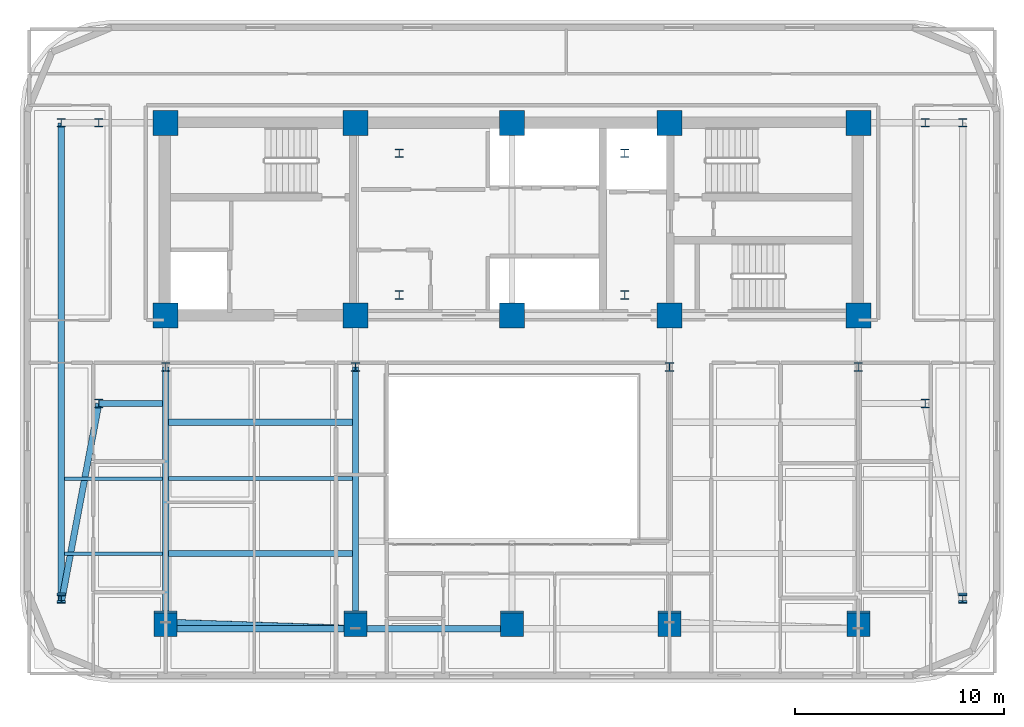
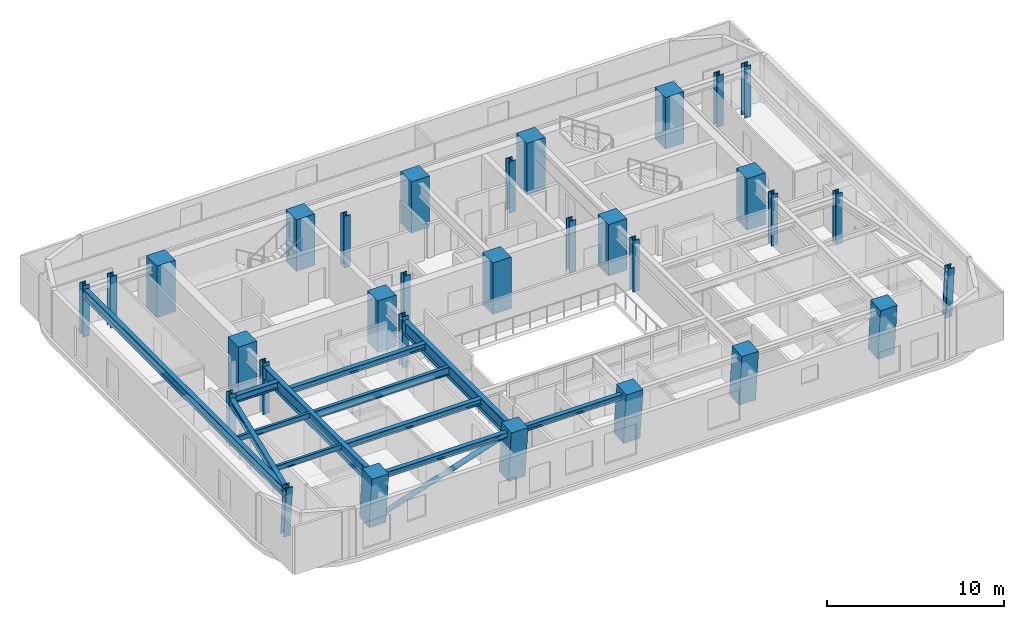
# One storey, part 1 of 12: 31 columns, 12 beams, 1 member.
"""IFC4 building model written with IfcOpenShell, lengths in metres."""

from ifc_helpers import new_model, si_unit, direction, frame, origin, origin_2d, place, context, subcontext, project, spatial, rectangle, hollow_circle, i_section, extrude, material, material_profile, profile_set, type_object, element, save


model = new_model("IFC4")

# Units and contexts
model_context = context("Model", 3, precision=1e-05, world=origin(), true_north=direction((0.0, 1.0)))
body_context = subcontext(model_context, "Body", "Model", "MODEL_VIEW")
ifc_project = project(units=[si_unit("LENGTHUNIT", "METRE"), si_unit("AREAUNIT", "SQUARE_METRE"), si_unit("VOLUMEUNIT", "CUBIC_METRE"), si_unit("PLANEANGLEUNIT", "RADIAN"), si_unit("MASSUNIT", "GRAM", prefix="KILO")], contexts=[model_context])

# Site, building, storey
site_placement = place(None, origin())
site = spatial("IfcSite", under=ifc_project, at=site_placement, CompositionType="ELEMENT")
building_placement = place(site_placement, origin())
building = spatial("IfcBuilding", under=site, at=building_placement, Name="Zarnavel Station Tower", CompositionType="ELEMENT")
storey_placement = place(building_placement, frame((0.0, 0.0, 144.800048828125)))
storey = spatial("IfcBuildingStorey", under=building, at=storey_placement, Name="L39", CompositionType="ELEMENT", Elevation=144.800048828125)

# Columns
ifc_material_1 = material(Name="Steel S355J2", Category="steel")
ifc_material_profile_1 = material_profile(ifc_material_1, i_section(OverallWidth=0.4130859375, OverallDepth=0.4150390625, WebThickness=0.030029296875, FlangeThickness=0.047119140625, FilletRadius=0.014892578125, at=origin_2d()), Name="HD400x347")
ifc_profile_set_1 = profile_set([ifc_material_profile_1], Name="Steel S355J2")
column_type_1 = type_object("IfcColumnType", Name="EC_HD347", PredefinedType="COLUMN", material=ifc_profile_set_1)
column_1_placement = place(storey_placement, frame((7.199951171875, 14.318603515625, 0.0), z_axis=(0.0, -0.079862380324, 0.996805898964), x_axis=(1.0, 0.0, 0.0)))
element("IfcColumn", 1, at=column_1_placement, inside=storey, type_object=column_type_1, Name="L39 Raked Wing Column 1", PredefinedType="COLUMN", context=body_context, shape_type="SweptSolid", body=[
    extrude(i_section(OverallWidth=0.4130859375, OverallDepth=0.4150390625, WebThickness=0.030029296875, FlangeThickness=0.047119140625, FilletRadius=0.014892578125, at=origin_2d()), origin(), (0.0, 0.0, 1.0), 3.5615234375),
])
column_2_placement = place(storey_placement, frame((7.199951171875, 37.050048828125, 0.0), z_axis=(0.0, 0.0, 1.0), x_axis=(1.0, 0.0, 0.0)))
element("IfcColumn", 2, at=column_2_placement, inside=storey, type_object=column_type_1, Name="L39 Outer Wing North Column 1", PredefinedType="COLUMN", context=body_context, shape_type="SweptSolid", body=[
    extrude(i_section(OverallWidth=0.4130859375, OverallDepth=0.4150390625, WebThickness=0.030029296875, FlangeThickness=0.047119140625, FilletRadius=0.014892578125, at=origin_2d()), origin(), (0.0, 0.0, 1.0), 3.550048828125),
])
column_3_placement = place(storey_placement, frame((50.39990234375, 14.318603515625, 0.0), z_axis=(0.0, -0.079862380324, 0.996805898964), x_axis=(1.0, 0.0, 0.0)))
element("IfcColumn", 3, at=column_3_placement, inside=storey, type_object=column_type_1, Name="L39 Raked Wing Column 2", PredefinedType="COLUMN", context=body_context, shape_type="SweptSolid", body=[
    extrude(i_section(OverallWidth=0.4130859375, OverallDepth=0.4150390625, WebThickness=0.030029296875, FlangeThickness=0.047119140625, FilletRadius=0.014892578125, at=origin_2d()), origin(), (0.0, 0.0, 1.0), 3.5615234375),
])
column_4_placement = place(storey_placement, frame((50.39990234375, 37.050048828125, 0.0), z_axis=(0.0, 0.0, 1.0), x_axis=(1.0, 0.0, 0.0)))
element("IfcColumn", 4, at=column_4_placement, inside=storey, type_object=column_type_1, Name="L39 Outer Wing North Column 2", PredefinedType="COLUMN", context=body_context, shape_type="SweptSolid", body=[
    extrude(i_section(OverallWidth=0.4130859375, OverallDepth=0.4150390625, WebThickness=0.030029296875, FlangeThickness=0.047119140625, FilletRadius=0.014892578125, at=origin_2d()), origin(), (0.0, 0.0, 1.0), 3.550048828125),
])
ifc_material_2 = material(Name="Steel S355J2", Category="steel")
ifc_material_profile_2 = material_profile(ifc_material_2, i_section(OverallWidth=0.4130859375, OverallDepth=0.4150390625, WebThickness=0.030029296875, FlangeThickness=0.047119140625, FilletRadius=0.014892578125, at=origin_2d()), Name="HD400x347")
ifc_profile_set_2 = profile_set([ifc_material_profile_2], Name="Steel S355J2")
column_type_2 = type_object("IfcColumnType", Name="IC_HD347", PredefinedType="COLUMN", material=ifc_profile_set_2)
for number, where, z_axis, x_axis, name in (
    (5, (23.39990234375, 28.800048828125, 0.0), (0.0, 0.0, 1.0), (1.0, 0.0, 0.0), "L39 Mast Spine Column 1"),
    (6, (34.199951171875, 28.800048828125, 0.0), (0.0, 0.0, 1.0), (1.0, 0.0, 0.0), "L39 Mast Spine Column 2"),
    (7, (34.199951171875, 35.60009765625, 0.0), (0.0, 0.0, 1.0), (1.0, 0.0, 0.0), "L39 Mast Spine Column 3"),
    (8, (23.39990234375, 35.60009765625, 0.0), (0.0, 0.0, 1.0), (1.0, 0.0, 0.0), "L39 Mast Spine Column 4"),
    (9, (12.199951171875, 25.35009765625, 0.0), (0.0, 0.0, 1.0), (1.0, 0.0, 0.0), "L39 Inner Spine Column 1"),
    (10, (21.300048828125, 25.35009765625, 0.0), (0.0, 0.0, 1.0), (1.0, 0.0, 0.0), "L39 Inner Spine Column 2"),
    (11, (36.35009765625, 25.35009765625, 0.0), (0.0, 0.0, 1.0), (1.0, 0.0, 0.0), "L39 Inner Spine Column 4"),
    (12, (45.39990234375, 25.35009765625, 0.0), (0.0, 0.0, 1.0), (1.0, 0.0, 0.0), "L39 Inner Spine Column 5"),
    (13, (9.0, 23.60009765625, 0.0), (0.0, 0.0, 1.0), (1.0, 0.0, 0.0), "L39 Inner Wing Spine Column 1-1"),
    (14, (9.0, 37.050048828125, 0.0), (0.0, 0.0, 1.0), (1.0, 0.0, 0.0), "L39 Inner Wing Spine Column 1-2"),
    (15, (48.60009765625, 23.60009765625, 0.0), (0.0, 0.0, 1.0), (1.0, 0.0, 0.0), "L39 Inner Wing Spine Column 2-1"),
    (16, (48.60009765625, 37.050048828125, 0.0), (0.0, 0.0, 1.0), (1.0, 0.0, 0.0), "L39 Inner Wing Spine Column 2-2"),
):
    element("IfcColumn", number, at=place(storey_placement, frame(where, z_axis=z_axis, x_axis=x_axis)), inside=storey, type_object=column_type_2, Name=name, PredefinedType="COLUMN", context=body_context, shape_type="SweptSolid", body=[
        extrude(i_section(OverallWidth=0.4130859375, OverallDepth=0.4150390625, WebThickness=0.030029296875, FlangeThickness=0.047119140625, FilletRadius=0.014892578125, at=origin_2d()), origin(), (0.0, 0.0, 1.0), 3.550048828125),
    ])
ifc_material_3 = material(Name="Concrete C50/60", Category="concrete")
ifc_material_profile_3 = material_profile(ifc_material_3, rectangle(XDim=1.199951171875, YDim=1.199951171875, at=origin_2d()), Name="RC1200x1200")
ifc_profile_set_3 = profile_set([ifc_material_profile_3], Name="Concrete C50/60")
column_type_3 = type_object("IfcColumnType", Name="IC_RC1200", PredefinedType="COLUMN", material=ifc_profile_set_3)
for number, where, z_axis, x_axis, name in (
    (17, (12.199951171875, 27.820068359375, 0.0), (0.0, 0.0, 1.0), (1.0, 0.0, 0.0), "L39 Core Spine Column 1-1"),
    (18, (12.199951171875, 37.050048828125, 0.0), (0.0, 0.0, 1.0), (1.0, 0.0, 0.0), "L39 Core Spine Column 1-2"),
    (19, (21.300048828125, 27.820068359375, 0.0), (0.0, 0.0, 1.0), (1.0, 0.0, 0.0), "L39 Core Spine Column 2-1"),
    (20, (21.300048828125, 37.050048828125, 0.0), (0.0, 0.0, 1.0), (1.0, 0.0, 0.0), "L39 Core Spine Column 2-2"),
    (21, (28.800048828125, 27.820068359375, 0.0), (0.0, 0.0, 1.0), (1.0, 0.0, 0.0), "L39 Core Spine Column 3-1"),
    (22, (28.800048828125, 37.050048828125, 0.0), (0.0, 0.0, 1.0), (1.0, 0.0, 0.0), "L39 Core Spine Column 3-2"),
    (23, (36.35009765625, 27.820068359375, 0.0), (0.0, 0.0, 1.0), (1.0, 0.0, 0.0), "L39 Core Spine Column 4-1"),
    (24, (36.35009765625, 37.050048828125, 0.0), (0.0, 0.0, 1.0), (1.0, 0.0, 0.0), "L39 Core Spine Column 4-2"),
    (25, (45.39990234375, 27.820068359375, 0.0), (0.0, 0.0, 1.0), (1.0, 0.0, 0.0), "L39 Core Spine Column 5-1"),
    (26, (45.39990234375, 37.050048828125, 0.0), (0.0, 0.0, 1.0), (1.0, 0.0, 0.0), "L39 Core Spine Column 5-2"),
):
    element("IfcColumn", number, at=place(storey_placement, frame(where, z_axis=z_axis, x_axis=x_axis)), inside=storey, type_object=column_type_3, Name=name, PredefinedType="COLUMN", context=body_context, shape_type="SweptSolid", body=[
        extrude(rectangle(XDim=1.199951171875, YDim=1.199951171875, at=origin_2d()), origin(), (0.0, 0.0, 1.0), 3.550048828125),
    ])
ifc_material_4 = material(Name="Concrete C50/60", Category="concrete")
ifc_material_profile_4 = material_profile(ifc_material_4, rectangle(XDim=1.10009765625, YDim=1.10009765625, at=origin_2d()), Name="RC1100x1100")
ifc_profile_set_4 = profile_set([ifc_material_profile_4], Name="Concrete C50/60")
column_type_4 = type_object("IfcColumnType", Name="MC_RC1100", PredefinedType="COLUMN", material=ifc_profile_set_4)
for number, where, z_axis, x_axis, name in (
    (27, (12.199951171875, 13.106201171875, 0.0), (0.0, -0.0902702026, 0.995917311087), (1.0, 0.0, 0.0), "L39 Raked South Mega-Column 1"),
    (28, (21.300048828125, 13.106201171875, 0.0), (0.0, -0.0902702026, 0.995917311087), (1.0, 0.0, 0.0), "L39 Raked South Mega-Column 2"),
    (29, (28.800048828125, 13.106201171875, 0.0), (0.0, -0.0902702026, 0.995917311087), (1.0, 0.0, 0.0), "L39 Raked South Mega-Column 3"),
    (30, (36.35009765625, 13.106201171875, 0.0), (0.0, -0.0902702026, 0.995917311087), (1.0, 0.0, 0.0), "L39 Raked South Mega-Column 4"),
    (31, (45.39990234375, 13.106201171875, 0.0), (0.0, -0.0902702026, 0.995917311087), (1.0, 0.0, 0.0), "L39 Raked South Mega-Column 5"),
):
    element("IfcColumn", number, at=place(storey_placement, frame(where, z_axis=z_axis, x_axis=x_axis)), inside=storey, type_object=column_type_4, Name=name, PredefinedType="COLUMN", context=body_context, shape_type="SweptSolid", body=[
        extrude(rectangle(XDim=1.10009765625, YDim=1.10009765625, at=origin_2d()), origin(), (0.0, 0.0, 1.0), 3.564697265625),
    ])

# Member
ifc_material_5 = material(Name="Steel S355J2", Category="steel")
ifc_material_profile_5 = material_profile(ifc_material_5, hollow_circle(Radius=0.161865234375, WallThickness=0.012451171875, at=origin_2d()), Name="CHS323.9x12.5")
ifc_profile_set_5 = profile_set([ifc_material_profile_5], Name="Steel S355J2")
member_type = type_object("IfcMemberType", Name="DB_EXT_CHS324", PredefinedType="BRACE", material=ifc_profile_set_5)
member_placement = place(storey_placement, frame((12.199951171875, 13.106201171875, 0.0), z_axis=(0.93997940641, -0.030791298364, 0.339839096442), x_axis=(0.032739857023, 0.999463907183, 0.0)))
element("IfcMember", 32, at=member_placement, inside=storey, type_object=member_type, Name="L39 Persian Exterior Diagonal Frame Brace 1", PredefinedType="BRACE", context=body_context, shape_type="SweptSolid", body=[
    extrude(hollow_circle(Radius=0.161865234375, WallThickness=0.012451171875, at=origin_2d()), origin(), (0.0, 0.0, 1.0), 9.68115234375),
])

# Beams
ifc_material_6 = material(Name="Steel S355J2", Category="steel")
ifc_material_profile_6 = material_profile(ifc_material_6, i_section(OverallWidth=0.300048828125, OverallDepth=0.360107421875, WebThickness=0.012451171875, FlangeThickness=0.0224609375, FilletRadius=0.027099609375, at=origin_2d()), Name="HEB360")
ifc_profile_set_6 = profile_set([ifc_material_profile_6], Name="Steel S355J2")
beam_type_1 = type_object("IfcBeamType", Name="EB_HEB360", PredefinedType="SPANDREL", material=ifc_profile_set_6)
beam_1_placement = place(storey_placement, frame((12.199951171875, 12.80810546875, 3.10986328125), z_axis=(1.0, 0.0, 0.0), x_axis=(0.0, 1.0, 0.0)))
element("IfcBeam", 33, at=beam_1_placement, inside=storey, type_object=beam_type_1, Name="L39 South Raked Spandrel 1", PredefinedType="SPANDREL", context=body_context, shape_type="SweptSolid", body=[
    extrude(i_section(OverallWidth=0.300048828125, OverallDepth=0.360107421875, WebThickness=0.012451171875, FlangeThickness=0.0224609375, FilletRadius=0.027099609375, at=origin_2d()), origin(), (0.0, 0.0, 1.0), 9.10009765625),
])
beam_2_placement = place(storey_placement, frame((21.300048828125, 12.80810546875, 3.10986328125), z_axis=(1.0, 0.0, 0.0), x_axis=(0.0, 1.0, 0.0)))
element("IfcBeam", 34, at=beam_2_placement, inside=storey, type_object=beam_type_1, Name="L39 South Raked Spandrel 2", PredefinedType="SPANDREL", context=body_context, shape_type="SweptSolid", body=[
    extrude(i_section(OverallWidth=0.300048828125, OverallDepth=0.360107421875, WebThickness=0.012451171875, FlangeThickness=0.0224609375, FilletRadius=0.027099609375, at=origin_2d()), origin(), (0.0, 0.0, 1.0), 7.5),
])
ifc_material_7 = material(Name="Steel S355J2", Category="steel")
ifc_material_profile_7 = material_profile(ifc_material_7, i_section(OverallWidth=0.300048828125, OverallDepth=0.389892578125, WebThickness=0.010986328125, FlangeThickness=0.01904296875, FilletRadius=0.027099609375, at=origin_2d()), Name="HEA400")
ifc_profile_set_7 = profile_set([ifc_material_profile_7], Name="Steel S355J2")
beam_type_2 = type_object("IfcBeamType", Name="FB_HEA400", PredefinedType="BEAM", material=ifc_profile_set_7)
for number, where, z_axis, x_axis, name in (
    (35, (12.344970703125, 16.406005859375, 3.094970703125), (1.0, 0.0, 0.0), (0.0, 1.0, 0.0), "L39 West Bay Beam 1"),
    (36, (12.344970703125, 22.701904296875, 3.094970703125), (1.0, 0.0, 0.0), (0.0, 1.0, 0.0), "L39 West Bay Beam 3"),
):
    element("IfcBeam", number, at=place(storey_placement, frame(where, z_axis=z_axis, x_axis=x_axis)), inside=storey, type_object=beam_type_2, Name=name, PredefinedType="BEAM", context=body_context, shape_type="SweptSolid", body=[
        extrude(i_section(OverallWidth=0.300048828125, OverallDepth=0.389892578125, WebThickness=0.010986328125, FlangeThickness=0.01904296875, FilletRadius=0.027099609375, at=origin_2d()), origin(), (0.0, 0.0, 1.0), 8.81005859375),
    ])
ifc_material_8 = material(Name="Steel S355J2", Category="steel")
ifc_material_profile_8 = material_profile(ifc_material_8, i_section(OverallWidth=0.2099609375, OverallDepth=0.550048828125, WebThickness=0.010986328125, FlangeThickness=0.01708984375, FilletRadius=0.02392578125, at=origin_2d()), Name="IPE550")
ifc_profile_set_8 = profile_set([ifc_material_profile_8], Name="Steel S355J2")
beam_type_3 = type_object("IfcBeamType", Name="FB_IPE550", PredefinedType="BEAM", material=ifc_profile_set_8)
beam_3_placement = place(storey_placement, frame((12.344970703125, 20.00390625, 3.014892578125), z_axis=(1.0, 0.0, 0.0), x_axis=(0.0, 1.0, 0.0)))
element("IfcBeam", 37, at=beam_3_placement, inside=storey, type_object=beam_type_3, Name="L39 West Bay Beam 2", PredefinedType="BEAM", context=body_context, shape_type="SweptSolid", body=[
    extrude(i_section(OverallWidth=0.2099609375, OverallDepth=0.550048828125, WebThickness=0.010986328125, FlangeThickness=0.01708984375, FilletRadius=0.02392578125, at=origin_2d()), origin(), (0.0, 0.0, 1.0), 8.81005859375),
])
ifc_material_9 = material(Name="Steel S355J2", Category="steel")
ifc_material_profile_9 = material_profile(ifc_material_9, i_section(OverallWidth=0.300048828125, OverallDepth=0.5, WebThickness=0.014404296875, FlangeThickness=0.028076171875, FilletRadius=0.027099609375, at=origin_2d()), Name="HEB500")
ifc_profile_set_9 = profile_set([ifc_material_profile_9], Name="Steel S355J2")
beam_type_4 = type_object("IfcBeamType", Name="FG_HEB500", PredefinedType="USERDEFINED", material=ifc_profile_set_9)
beam_4_placement = place(storey_placement, frame((7.199951171875, 14.054931640625, 3.0400390625), z_axis=(0.185315814179, 0.982679016269, 0.0), x_axis=(-0.982679016269, 0.185315814179, 0.0)))
element("IfcBeam", 38, at=beam_4_placement, inside=storey, type_object=beam_type_4, Name="L39 West Wing South Tie 1", ObjectType="GIRDER", PredefinedType="USERDEFINED", context=body_context, shape_type="SweptSolid", body=[
    extrude(i_section(OverallWidth=0.300048828125, OverallDepth=0.5, WebThickness=0.014404296875, FlangeThickness=0.028076171875, FilletRadius=0.027099609375, at=origin_2d()), origin(), (0.0, 0.0, 1.0), 9.71337890625),
])
beam_5_placement = place(storey_placement, frame((9.0, 23.60009765625, 3.0400390625), z_axis=(1.0, 0.0, 0.0), x_axis=(0.0, 1.0, 0.0)))
element("IfcBeam", 39, at=beam_5_placement, inside=storey, type_object=beam_type_4, Name="L39 West Wing South Tie 2", ObjectType="GIRDER", PredefinedType="USERDEFINED", context=body_context, shape_type="SweptSolid", body=[
    extrude(i_section(OverallWidth=0.300048828125, OverallDepth=0.5, WebThickness=0.014404296875, FlangeThickness=0.028076171875, FilletRadius=0.027099609375, at=origin_2d()), origin(), (0.0, 0.0, 1.0), 3.054931640625),
])
ifc_material_10 = material(Name="Steel S355J2", Category="steel")
ifc_material_profile_10 = material_profile(ifc_material_10, i_section(OverallWidth=0.300048828125, OverallDepth=0.64990234375, WebThickness=0.01611328125, FlangeThickness=0.031005859375, FilletRadius=0.027099609375, at=origin_2d()), Name="HEB650")
ifc_profile_set_10 = profile_set([ifc_material_profile_10], Name="Steel S355J2")
beam_type_5 = type_object("IfcBeamType", Name="FG_HEB650", PredefinedType="USERDEFINED", material=ifc_profile_set_10)
beam_6_placement = place(storey_placement, frame((7.199951171875, 14.054931640625, 2.96484375), z_axis=(0.0, 1.0, 0.0), x_axis=(-1.0, 0.0, 0.0)))
element("IfcBeam", 40, at=beam_6_placement, inside=storey, type_object=beam_type_5, Name="L39 Wing NS Girder 1", ObjectType="GIRDER", PredefinedType="USERDEFINED", context=body_context, shape_type="SweptSolid", body=[
    extrude(i_section(OverallWidth=0.300048828125, OverallDepth=0.64990234375, WebThickness=0.01611328125, FlangeThickness=0.031005859375, FilletRadius=0.027099609375, at=origin_2d()), origin(), (0.0, 0.0, 1.0), 22.9951171875),
])
ifc_material_11 = material(Name="Steel S355J2", Category="steel")
ifc_material_profile_11 = material_profile(ifc_material_11, i_section(OverallWidth=0.169921875, OverallDepth=0.360107421875, WebThickness=0.008056640625, FlangeThickness=0.0126953125, FilletRadius=0.01806640625, at=origin_2d()), Name="IPE360")
ifc_profile_set_11 = profile_set([ifc_material_profile_11], Name="Steel S355J2")
beam_type_6 = type_object("IfcBeamType", Name="FJ_IPE360", PredefinedType="JOIST", material=ifc_profile_set_11)
for number, where, z_axis, x_axis, name in (
    (41, (7.344970703125, 16.406005859375, 3.10986328125), (1.0, 0.0, 0.0), (0.0, 1.0, 0.0), "L39 West Wing Joist 1"),
    (42, (7.344970703125, 20.00390625, 3.10986328125), (1.0, 0.0, 0.0), (0.0, 1.0, 0.0), "L39 West Wing Joist 2"),
):
    element("IfcBeam", number, at=place(storey_placement, frame(where, z_axis=z_axis, x_axis=x_axis)), inside=storey, type_object=beam_type_6, Name=name, PredefinedType="JOIST", context=body_context, shape_type="SweptSolid", body=[
        extrude(i_section(OverallWidth=0.169921875, OverallDepth=0.360107421875, WebThickness=0.008056640625, FlangeThickness=0.0126953125, FilletRadius=0.01806640625, at=origin_2d()), origin(), (0.0, 0.0, 1.0), 4.7099609375),
    ])
ifc_material_12 = material(Name="Steel S460M", Category="steel")
ifc_material_profile_12 = material_profile(ifc_material_12, i_section(OverallWidth=0.302001953125, OverallDepth=0.909912109375, WebThickness=0.02099609375, FlangeThickness=0.0400390625, FilletRadius=0.030029296875, at=origin_2d()), Name="HEM900")
ifc_profile_set_12 = profile_set([ifc_material_profile_12], Name="Steel S460M")
beam_type_7 = type_object("IfcBeamType", Name="TG_HEM900", PredefinedType="USERDEFINED", material=ifc_profile_set_12)
for number, where, z_axis, x_axis, name in (
    (43, (12.199951171875, 12.80810546875, 2.8349609375), (0.0, 1.0, 0.0), (-1.0, 0.0, 0.0), "L39 South-Zone NS Girder 1"),
    (44, (21.300048828125, 12.80810546875, 2.8349609375), (0.0, 1.0, 0.0), (-1.0, 0.0, 0.0), "L39 South-Zone NS Girder 2"),
):
    element("IfcBeam", number, at=place(storey_placement, frame(where, z_axis=z_axis, x_axis=x_axis)), inside=storey, type_object=beam_type_7, Name=name, ObjectType="GIRDER", PredefinedType="USERDEFINED", context=body_context, shape_type="SweptSolid", body=[
        extrude(i_section(OverallWidth=0.302001953125, OverallDepth=0.909912109375, WebThickness=0.02099609375, FlangeThickness=0.0400390625, FilletRadius=0.030029296875, at=origin_2d()), origin(), (0.0, 0.0, 1.0), 12.5419921875),
    ])

save(model, "model.ifc")
